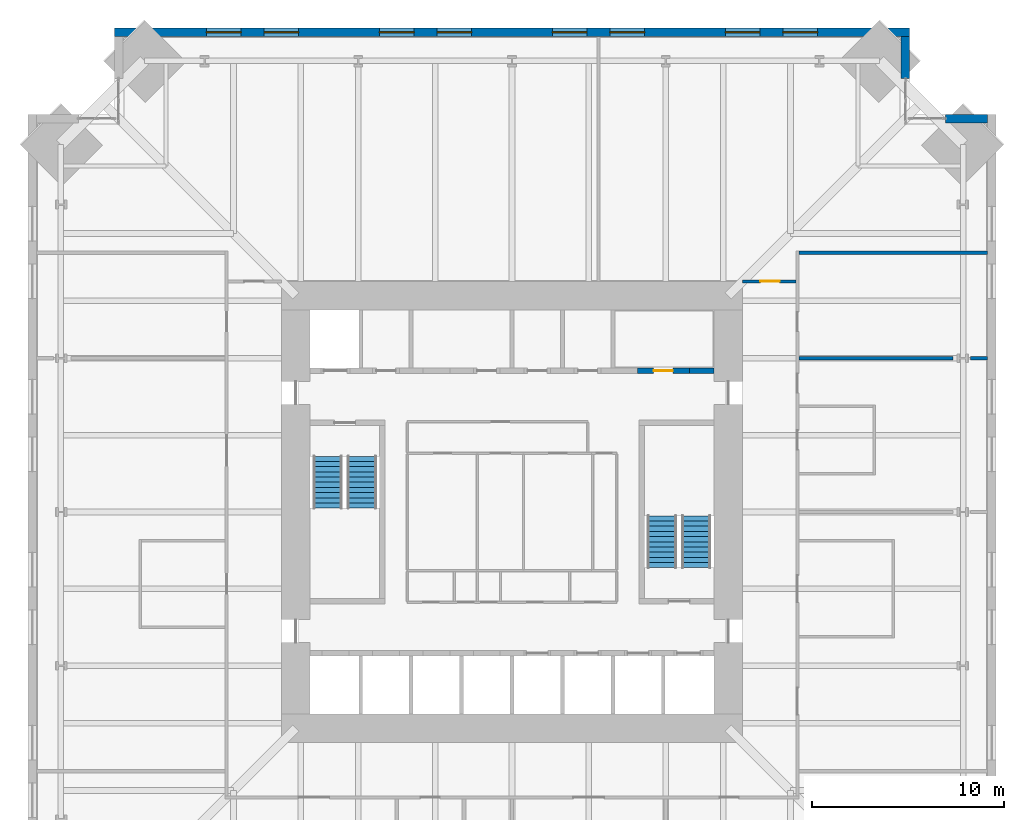
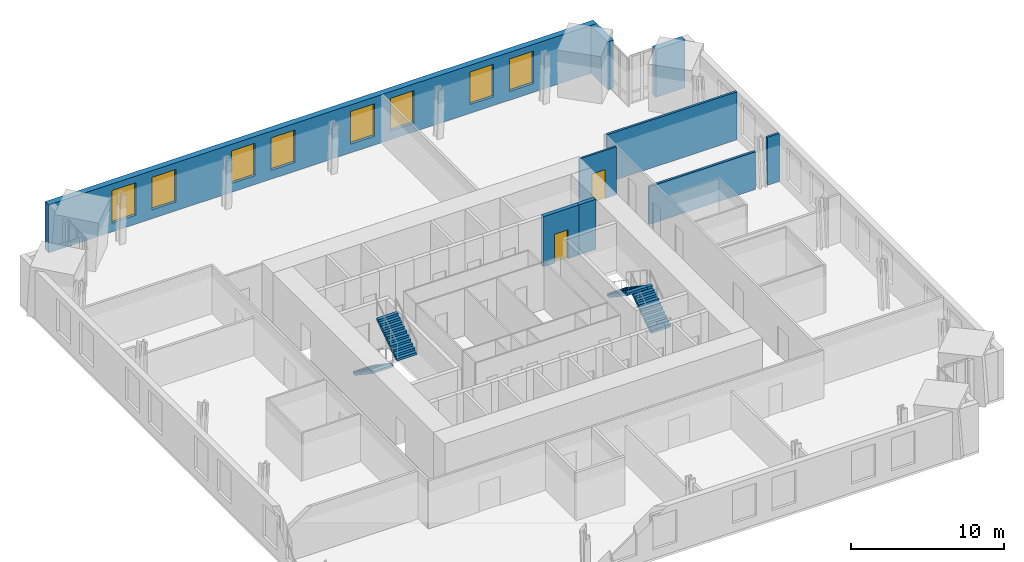
# One storey, part 14 of 15: 9 walls, 8 windows, 4 stair flights, 2 doors, 10 openings, 2 elements without a shape of their own.
"""IFC4 building model written with IfcOpenShell, lengths in metres."""

from ifc_helpers import new_model, si_unit, direction, frame, frame_2d, origin, place, context, subcontext, project, spatial, polyline, rectangle, outline, extrude, material, layer, layer_set, type_object, element, fill, aggregate, save


model = new_model("IFC4")

# Units and contexts
model_context = context("Model", 3, precision=1e-05, world=origin(), true_north=direction((0.0, 1.0)))
body_context = subcontext(model_context, "Body", "Model", "MODEL_VIEW")
ifc_project = project(units=[si_unit("LENGTHUNIT", "METRE"), si_unit("AREAUNIT", "SQUARE_METRE"), si_unit("VOLUMEUNIT", "CUBIC_METRE"), si_unit("PLANEANGLEUNIT", "RADIAN"), si_unit("MASSUNIT", "GRAM", prefix="KILO")], contexts=[model_context])

# Site, building, storey
site_placement = place(None, origin())
site = spatial("IfcSite", under=ifc_project, at=site_placement, CompositionType="ELEMENT")
building_placement = place(site_placement, origin())
building = spatial("IfcBuilding", under=site, at=building_placement, Name="Peilmerk Tower", CompositionType="ELEMENT")
storey_placement = place(building_placement, frame((0.0, 0.0, 183.800048828125)))
storey = spatial("IfcBuildingStorey", under=building, at=storey_placement, Name="L39", CompositionType="ELEMENT", Elevation=183.800048828125)

# Wall, openings, windows
ifc_material_1 = material(Name="Precast concrete C45/55, board-marked finish", Category="concrete")
ifc_layer_1 = layer(ifc_material_1, 0.449951171875)
ifc_layer_set_1 = layer_set([ifc_layer_1], Name="Precast concrete C45/55, board-marked finish")
wall_type_1 = type_object("IfcWallType", Name="EW1 450 precast concrete facade wall, board-marked", PredefinedType="SOLIDWALL", material=ifc_layer_set_1)
wall_1_placement = place(storey_placement, frame((20.699951171875, 24.97509765625, 0.0), z_axis=(0.0, 0.0, 1.0), x_axis=(-1.0, 0.0, 0.0)))
wall_1 = element("IfcWall", 1, at=wall_1_placement, inside=storey, type_object=wall_type_1, Name="Facade wall N L39", PredefinedType="SOLIDWALL", context=body_context, shape_type="SweptSolid", body=[
    extrude(rectangle(XDim=41.39990234375, YDim=0.449951171875, at=frame_2d((20.699951171875, 0.0))), origin(), (0.0, 0.0, 1.0), 3.829833984375),
])
opening_1_placement = place(wall_1_placement, frame((4.800048828125, 0.0, 0.699951171875)))
opening_1 = element("IfcOpeningElement", 2, at=opening_1_placement, cuts=wall_1, Name="Opening W1", PredefinedType="OPENING", context=body_context, shape_type="SweptSolid", body=[
    extrude(rectangle(XDim=1.800048828125, YDim=2.60009765625, at=frame_2d((0.89990234375, 1.300048828125))), frame((0.0, 0.23486328125, 0.0), z_axis=(0.0, -1.0, 0.0), x_axis=(1.0, 0.0, 0.0)), (0.0, 0.0, 1.0), 0.469970703125),
])
opening_2_placement = place(wall_1_placement, frame((7.800048828125, 0.0, 0.699951171875)))
opening_2 = element("IfcOpeningElement", 3, at=opening_2_placement, cuts=wall_1, Name="Opening W1", PredefinedType="OPENING", context=body_context, shape_type="SweptSolid", body=[
    extrude(rectangle(XDim=1.800048828125, YDim=2.60009765625, at=frame_2d((0.89990234375, 1.300048828125))), frame((0.0, 0.23486328125, 0.0), z_axis=(0.0, -1.0, 0.0), x_axis=(1.0, 0.0, 0.0)), (0.0, 0.0, 1.0), 0.469970703125),
])
opening_3_placement = place(wall_1_placement, frame((13.800048828125, 0.0, 0.699951171875)))
opening_3 = element("IfcOpeningElement", 4, at=opening_3_placement, cuts=wall_1, Name="Opening W1", PredefinedType="OPENING", context=body_context, shape_type="SweptSolid", body=[
    extrude(rectangle(XDim=1.800048828125, YDim=2.60009765625, at=frame_2d((0.89990234375, 1.300048828125))), frame((0.0, 0.23486328125, 0.0), z_axis=(0.0, -1.0, 0.0), x_axis=(1.0, 0.0, 0.0)), (0.0, 0.0, 1.0), 0.469970703125),
])
opening_4_placement = place(wall_1_placement, frame((16.800048828125, 0.0, 0.699951171875)))
opening_4 = element("IfcOpeningElement", 5, at=opening_4_placement, cuts=wall_1, Name="Opening W1", PredefinedType="OPENING", context=body_context, shape_type="SweptSolid", body=[
    extrude(rectangle(XDim=1.800048828125, YDim=2.60009765625, at=frame_2d((0.89990234375, 1.300048828125))), frame((0.0, 0.23486328125, 0.0), z_axis=(0.0, -1.0, 0.0), x_axis=(1.0, 0.0, 0.0)), (0.0, 0.0, 1.0), 0.469970703125),
])
opening_5_placement = place(wall_1_placement, frame((22.800048828125, 0.0, 0.699951171875)))
opening_5 = element("IfcOpeningElement", 6, at=opening_5_placement, cuts=wall_1, Name="Opening W1", PredefinedType="OPENING", context=body_context, shape_type="SweptSolid", body=[
    extrude(rectangle(XDim=1.800048828125, YDim=2.60009765625, at=frame_2d((0.89990234375, 1.300048828125))), frame((0.0, 0.23486328125, 0.0), z_axis=(0.0, -1.0, 0.0), x_axis=(1.0, 0.0, 0.0)), (0.0, 0.0, 1.0), 0.469970703125),
])
opening_6_placement = place(wall_1_placement, frame((25.800048828125, 0.0, 0.699951171875)))
opening_6 = element("IfcOpeningElement", 7, at=opening_6_placement, cuts=wall_1, Name="Opening W1", PredefinedType="OPENING", context=body_context, shape_type="SweptSolid", body=[
    extrude(rectangle(XDim=1.800048828125, YDim=2.60009765625, at=frame_2d((0.89990234375, 1.300048828125))), frame((0.0, 0.23486328125, 0.0), z_axis=(0.0, -1.0, 0.0), x_axis=(1.0, 0.0, 0.0)), (0.0, 0.0, 1.0), 0.469970703125),
])
opening_7_placement = place(wall_1_placement, frame((31.800048828125, 0.0, 0.699951171875)))
opening_7 = element("IfcOpeningElement", 8, at=opening_7_placement, cuts=wall_1, Name="Opening W1", PredefinedType="OPENING", context=body_context, shape_type="SweptSolid", body=[
    extrude(rectangle(XDim=1.800048828125, YDim=2.60009765625, at=frame_2d((0.89990234375, 1.300048828125))), frame((0.0, 0.23486328125, 0.0), z_axis=(0.0, -1.0, 0.0), x_axis=(1.0, 0.0, 0.0)), (0.0, 0.0, 1.0), 0.469970703125),
])
opening_8_placement = place(wall_1_placement, frame((34.800048828125, 0.0, 0.699951171875)))
opening_8 = element("IfcOpeningElement", 9, at=opening_8_placement, cuts=wall_1, Name="Opening W1", PredefinedType="OPENING", context=body_context, shape_type="SweptSolid", body=[
    extrude(rectangle(XDim=1.800048828125, YDim=2.60009765625, at=frame_2d((0.89990234375, 1.300048828125))), frame((0.0, 0.23486328125, 0.0), z_axis=(0.0, -1.0, 0.0), x_axis=(1.0, 0.0, 0.0)), (0.0, 0.0, 1.0), 0.469970703125),
])
ifc_material_2 = material(Name="Aluminium frame, clear double glazing", Category="aluminium")
window_type = type_object("IfcWindowType", Name="W1 1800x2600 office window", PartitioningType="SINGLE_PANEL", PredefinedType="WINDOW", material=ifc_material_2)
window_1_placement = place(opening_1_placement, origin())
window_1 = element("IfcWindow", 10, at=window_1_placement, inside=storey, type_object=window_type, Name="Window W1 L39", OverallHeight=2.60009765625, OverallWidth=1.800048828125, PartitioningType="SINGLE_PANEL", PredefinedType="WINDOW", context=body_context, shape_type="SweptSolid", body=[
    extrude(rectangle(XDim=1.800048828125, YDim=2.60009765625, at=frame_2d((0.89990234375, 1.300048828125))), frame((0.0, 0.030029296875, 0.0), z_axis=(0.0, -1.0, 0.0), x_axis=(1.0, 0.0, 0.0)), (0.0, 0.0, 1.0), 0.06005859375),
])
fill(opening_1, window_1)
window_2_placement = place(opening_2_placement, origin())
window_2 = element("IfcWindow", 11, at=window_2_placement, inside=storey, type_object=window_type, Name="Window W1 L39", OverallHeight=2.60009765625, OverallWidth=1.800048828125, PartitioningType="SINGLE_PANEL", PredefinedType="WINDOW", context=body_context, shape_type="SweptSolid", body=[
    extrude(rectangle(XDim=1.800048828125, YDim=2.60009765625, at=frame_2d((0.89990234375, 1.300048828125))), frame((0.0, 0.030029296875, 0.0), z_axis=(0.0, -1.0, 0.0), x_axis=(1.0, 0.0, 0.0)), (0.0, 0.0, 1.0), 0.06005859375),
])
fill(opening_2, window_2)
window_3_placement = place(opening_3_placement, origin())
window_3 = element("IfcWindow", 12, at=window_3_placement, inside=storey, type_object=window_type, Name="Window W1 L39", OverallHeight=2.60009765625, OverallWidth=1.800048828125, PartitioningType="SINGLE_PANEL", PredefinedType="WINDOW", context=body_context, shape_type="SweptSolid", body=[
    extrude(rectangle(XDim=1.800048828125, YDim=2.60009765625, at=frame_2d((0.89990234375, 1.300048828125))), frame((0.0, 0.030029296875, 0.0), z_axis=(0.0, -1.0, 0.0), x_axis=(1.0, 0.0, 0.0)), (0.0, 0.0, 1.0), 0.06005859375),
])
fill(opening_3, window_3)
window_4_placement = place(opening_4_placement, origin())
window_4 = element("IfcWindow", 13, at=window_4_placement, inside=storey, type_object=window_type, Name="Window W1 L39", OverallHeight=2.60009765625, OverallWidth=1.800048828125, PartitioningType="SINGLE_PANEL", PredefinedType="WINDOW", context=body_context, shape_type="SweptSolid", body=[
    extrude(rectangle(XDim=1.800048828125, YDim=2.60009765625, at=frame_2d((0.89990234375, 1.300048828125))), frame((0.0, 0.030029296875, 0.0), z_axis=(0.0, -1.0, 0.0), x_axis=(1.0, 0.0, 0.0)), (0.0, 0.0, 1.0), 0.06005859375),
])
fill(opening_4, window_4)
window_5_placement = place(opening_5_placement, origin())
window_5 = element("IfcWindow", 14, at=window_5_placement, inside=storey, type_object=window_type, Name="Window W1 L39", OverallHeight=2.60009765625, OverallWidth=1.800048828125, PartitioningType="SINGLE_PANEL", PredefinedType="WINDOW", context=body_context, shape_type="SweptSolid", body=[
    extrude(rectangle(XDim=1.800048828125, YDim=2.60009765625, at=frame_2d((0.89990234375, 1.300048828125))), frame((0.0, 0.030029296875, 0.0), z_axis=(0.0, -1.0, 0.0), x_axis=(1.0, 0.0, 0.0)), (0.0, 0.0, 1.0), 0.06005859375),
])
fill(opening_5, window_5)
window_6_placement = place(opening_6_placement, origin())
window_6 = element("IfcWindow", 15, at=window_6_placement, inside=storey, type_object=window_type, Name="Window W1 L39", OverallHeight=2.60009765625, OverallWidth=1.800048828125, PartitioningType="SINGLE_PANEL", PredefinedType="WINDOW", context=body_context, shape_type="SweptSolid", body=[
    extrude(rectangle(XDim=1.800048828125, YDim=2.60009765625, at=frame_2d((0.89990234375, 1.300048828125))), frame((0.0, 0.030029296875, 0.0), z_axis=(0.0, -1.0, 0.0), x_axis=(1.0, 0.0, 0.0)), (0.0, 0.0, 1.0), 0.06005859375),
])
fill(opening_6, window_6)
window_7_placement = place(opening_7_placement, origin())
window_7 = element("IfcWindow", 16, at=window_7_placement, inside=storey, type_object=window_type, Name="Window W1 L39", OverallHeight=2.60009765625, OverallWidth=1.800048828125, PartitioningType="SINGLE_PANEL", PredefinedType="WINDOW", context=body_context, shape_type="SweptSolid", body=[
    extrude(rectangle(XDim=1.800048828125, YDim=2.60009765625, at=frame_2d((0.89990234375, 1.300048828125))), frame((0.0, 0.030029296875, 0.0), z_axis=(0.0, -1.0, 0.0), x_axis=(1.0, 0.0, 0.0)), (0.0, 0.0, 1.0), 0.06005859375),
])
fill(opening_7, window_7)
window_8_placement = place(opening_8_placement, origin())
window_8 = element("IfcWindow", 17, at=window_8_placement, inside=storey, type_object=window_type, Name="Window W1 L39", OverallHeight=2.60009765625, OverallWidth=1.800048828125, PartitioningType="SINGLE_PANEL", PredefinedType="WINDOW", context=body_context, shape_type="SweptSolid", body=[
    extrude(rectangle(XDim=1.800048828125, YDim=2.60009765625, at=frame_2d((0.89990234375, 1.300048828125))), frame((0.0, 0.030029296875, 0.0), z_axis=(0.0, -1.0, 0.0), x_axis=(1.0, 0.0, 0.0)), (0.0, 0.0, 1.0), 0.06005859375),
])
fill(opening_8, window_8)

# Walls
for number, where, z_axis, x_axis, name in (
    (18, (20.47509765625, 22.5537109375, 0.0), (0.0, 0.0, 1.0), (0.0, 1.0, 0.0), "Facade wall NEA L39"),
    (19, (22.5537109375, 20.47509765625, 0.0), (0.0, 0.0, 1.0), (1.0, 0.0, 0.0), "Facade wall NEB L39"),
):
    element("IfcWall", number, at=place(storey_placement, frame(where, z_axis=z_axis, x_axis=x_axis)), inside=storey, type_object=wall_type_1, Name=name, PredefinedType="SOLIDWALL", context=body_context, shape_type="SweptSolid", body=[
        extrude(rectangle(XDim=2.1962890625, YDim=0.449951171875, at=frame_2d((1.09814453125, 0.0))), origin(), (0.0, 0.0, 1.0), 3.829833984375),
    ])

# Wall, opening, door
ifc_material_3 = material(Name="Calcium silicate block", Category="masonry")
ifc_layer_2 = layer(ifc_material_3, 0.14990234375)
ifc_layer_set_2 = layer_set([ifc_layer_2], Name="Calcium silicate block")
wall_type_2 = type_object("IfcWallType", Name="IW1 150 corridor partition, EI 60", PredefinedType="PARTITIONING", material=ifc_layer_set_2)
wall_2_placement = place(storey_placement, frame((12.0, 12.0, 0.0), z_axis=(0.0, 0.0, 1.0), x_axis=(1.0, 0.0, 0.0)))
wall_2 = element("IfcWall", 20, at=wall_2_placement, inside=storey, type_object=wall_type_2, Name="Corridor wall NE L39", PredefinedType="PARTITIONING", context=body_context, shape_type="SweptSolid", body=[
    extrude(rectangle(XDim=2.77490234375, YDim=0.14990234375, at=frame_2d((1.387451171875, 0.0))), origin(), (0.0, 0.0, 1.0), 3.829833984375),
])
opening_9_placement = place(wall_2_placement, frame((0.925048828125, 0.0, 0.0)))
opening_9 = element("IfcOpeningElement", 21, at=opening_9_placement, cuts=wall_2, Name="Opening D1", PredefinedType="OPENING", context=body_context, shape_type="SweptSolid", body=[
    extrude(rectangle(XDim=1.0, YDim=2.300048828125, at=frame_2d((0.5, 1.14990234375))), frame((0.0, 0.0849609375, 0.0), z_axis=(0.0, -1.0, 0.0), x_axis=(1.0, 0.0, 0.0)), (0.0, 0.0, 1.0), 0.169921875),
])
ifc_material_4 = material(Name="Timber door in steel frame", Category="steel")
door_type_1 = type_object("IfcDoorType", Name="D1 1000x2300 room door, EI2 30", OperationType="SINGLE_SWING_LEFT", PredefinedType="DOOR", material=ifc_material_4)
door_1_placement = place(opening_9_placement, origin())
door_1 = element("IfcDoor", 22, at=door_1_placement, inside=storey, type_object=door_type_1, Name="Door Project room L39", OperationType="SINGLE_SWING_LEFT", OverallHeight=2.300048828125, OverallWidth=1.0, PredefinedType="DOOR", context=body_context, shape_type="SweptSolid", body=[
    extrude(rectangle(XDim=1.0, YDim=2.300048828125, at=frame_2d((0.5, 1.14990234375))), frame((0.0, 0.02490234375, 0.0), z_axis=(0.0, -1.0, 0.0), x_axis=(1.0, 0.0, 0.0)), (0.0, 0.0, 1.0), 0.050048828125),
])
fill(opening_9, door_1)

# Walls
ifc_layer_3 = layer(ifc_material_3, 0.175048828125)
ifc_layer_set_3 = layer_set([ifc_layer_3], Name="Calcium silicate block")
wall_type_3 = type_object("IfcWallType", Name="IW8 175 tenant separating wall, EI 60", PredefinedType="PARTITIONING", material=ifc_layer_set_3)
wall_3_placement = place(storey_placement, frame((14.925048828125, 13.5, 0.0), z_axis=(0.0, 0.0, 1.0), x_axis=(1.0, 0.0, 0.0)))
element("IfcWall", 23, at=wall_3_placement, inside=storey, type_object=wall_type_3, Name="Tenant separating wall NE L39", PredefinedType="PARTITIONING", context=body_context, shape_type="SweptSolid", body=[
    extrude(rectangle(XDim=9.824951171875, YDim=0.175048828125, at=frame_2d((4.91259765625, 0.0))), origin(), (0.0, 0.0, 1.0), 3.829833984375),
])
wall_4_placement = place(storey_placement, frame((14.925048828125, 8.0, 0.0), z_axis=(0.0, 0.0, 1.0), x_axis=(1.0, 0.0, 0.0)))
element("IfcWall", 24, at=wall_4_placement, inside=storey, type_object=wall_type_3, Name="Tenant separating wall E2 L39", PredefinedType="PARTITIONING", context=body_context, shape_type="SweptSolid", body=[
    extrude(rectangle(XDim=8.03515625, YDim=0.175048828125, at=frame_2d((4.017578125, 0.0))), origin(), (0.0, 0.0, 1.0), 3.015869140625),
])
wall_5_placement = place(storey_placement, frame((23.849365234375, 8.0, 0.0), z_axis=(0.0, 0.0, 1.0), x_axis=(1.0, 0.0, 0.0)))
element("IfcWall", 25, at=wall_5_placement, inside=storey, type_object=wall_type_3, Name="Tenant separating wall E2b L39", PredefinedType="PARTITIONING", context=body_context, shape_type="SweptSolid", body=[
    extrude(rectangle(XDim=0.900634765625, YDim=0.175048828125, at=frame_2d((0.4501953125, 0.0))), origin(), (0.0, 0.0, 1.0), 3.829833984375),
])

# Wall, opening, door
ifc_layer_4 = layer(ifc_material_3, 0.300048828125)
ifc_layer_set_4 = layer_set([ifc_layer_4], Name="Calcium silicate block")
wall_type_4 = type_object("IfcWallType", Name="SH2 300 lift landing door panel, EI 120", PredefinedType="PARTITIONING", material=ifc_layer_set_4)
wall_6_placement = place(storey_placement, frame((6.52490234375, 7.35009765625, 0.0), z_axis=(0.0, 0.0, 1.0), x_axis=(1.0, 0.0, 0.0)))
wall_6 = element("IfcWall", 26, at=wall_6_placement, inside=storey, type_object=wall_type_4, Name="Lift door panel N GL1 L39", PredefinedType="PARTITIONING", context=body_context, shape_type="SweptSolid", body=[
    extrude(rectangle(XDim=2.7001953125, YDim=0.300048828125, at=frame_2d((1.35009765625, 0.0))), origin(), (0.0, 0.0, 1.0), 4.0),
])
opening_10_placement = place(wall_6_placement, frame((0.85009765625, 0.0, 0.0)))
opening_10 = element("IfcOpeningElement", 27, at=opening_10_placement, cuts=wall_6, Name="Opening D10", PredefinedType="OPENING", context=body_context, shape_type="SweptSolid", body=[
    extrude(rectangle(XDim=1.0, YDim=2.300048828125, at=frame_2d((0.5, 1.14990234375))), frame((0.0, 0.159912109375, 0.0), z_axis=(0.0, -1.0, 0.0), x_axis=(1.0, 0.0, 0.0)), (0.0, 0.0, 1.0), 0.320068359375),
])
ifc_material_5 = material(Name="Steel door in steel frame", Category="steel")
door_type_2 = type_object("IfcDoorType", Name="D10 1000x2300 core room door, EI2 60", OperationType="SINGLE_SWING_RIGHT", PredefinedType="DOOR", material=ifc_material_5)
door_2_placement = place(opening_10_placement, origin())
door_2 = element("IfcDoor", 28, at=door_2_placement, inside=storey, type_object=door_type_2, Name="Door Pantry L39", OperationType="SINGLE_SWING_RIGHT", OverallHeight=2.300048828125, OverallWidth=1.0, PredefinedType="DOOR", context=body_context, shape_type="SweptSolid", body=[
    extrude(rectangle(XDim=1.0, YDim=2.300048828125, at=frame_2d((0.5, 1.14990234375))), frame((0.0, 0.02490234375, 0.0), z_axis=(0.0, -1.0, 0.0), x_axis=(1.0, 0.0, 0.0)), (0.0, 0.0, 1.0), 0.050048828125),
])
fill(opening_10, door_2)

# Wall
ifc_material_6 = material(Name="Concrete C55/67", Category="concrete")
ifc_layer_5 = layer(ifc_material_6, 0.300048828125)
ifc_layer_set_5 = layer_set([ifc_layer_5], Name="Concrete C55/67")
wall_type_5 = type_object("IfcWallType", Name="SW2 300 lift bank pier", PredefinedType="SHEAR", material=ifc_layer_set_5)
wall_7_placement = place(storey_placement, frame((9.22509765625, 7.35009765625, 0.0), z_axis=(0.0, 0.0, 1.0), x_axis=(1.0, 0.0, 0.0)))
element("IfcWall", 29, at=wall_7_placement, inside=storey, type_object=wall_type_5, Name="Lift bank pier N L39", PredefinedType="SHEAR", context=body_context, shape_type="SweptSolid", body=[
    extrude(rectangle(XDim=1.27490234375, YDim=0.300048828125, at=frame_2d((0.637451171875, 0.0))), origin(), (0.0, 0.0, 1.0), 4.0),
])

# Stair, stair flights
ifc_material_7 = material(Name="Precast concrete C45/55", Category="concrete")
stair_type_1 = type_object("IfcStairType", Name="ST1 22 risers of 181.8", PredefinedType="HALF_TURN_STAIR", material=ifc_material_7)
stair_1_placement = place(storey_placement, origin())
stair_1 = element("IfcStair", 30, at=stair_1_placement, inside=storey, type_object=stair_type_1, Name="Stair 1 L39 to L40", PredefinedType="HALF_TURN_STAIR")
stair_flight_type = type_object("IfcStairFlightType", Name="SF11 flight, 11 risers of 181.8", PredefinedType="STRAIGHT", material=ifc_material_7)
stair_flight_1_placement = place(storey_placement, frame((-9.60009765625, 2.89990234375, 0.0), z_axis=(0.0, 0.0, 1.0), x_axis=(0.0, -1.0, 0.0)))
stair_flight_1 = element("IfcStairFlight", 31, at=stair_flight_1_placement, type_object=stair_flight_type, Name="ST1 flight 1", NumberOfRisers=11, NumberOfTreads=10, PredefinedType="STRAIGHT", RiserHeight=0.181818182, TreadLength=0.27, context=body_context, shape_type="SweptSolid", body=[
    extrude(outline(polyline([(0.0, 0.0), (0.0, 0.181884765625), (0.27001953125, 0.181884765625), (0.27001953125, 0.363525390625), (0.5400390625, 0.363525390625), (0.5400390625, 0.54541015625), (0.81005859375, 0.54541015625), (0.81005859375, 0.727294921875), (1.080078125, 0.727294921875), (1.080078125, 0.9091796875), (1.35009765625, 0.9091796875), (1.35009765625, 1.0908203125), (1.6201171875, 1.0908203125), (1.6201171875, 1.272705078125), (1.889892578125, 1.272705078125), (1.889892578125, 1.45458984375), (2.159912109375, 1.45458984375), (2.159912109375, 1.636474609375), (2.429931640625, 1.636474609375), (2.429931640625, 1.818115234375), (2.699951171875, 1.818115234375), (2.699951171875, 2.0), (2.699951171875, 1.637451171875), (0.268310546875, 0.0), (0.0, 0.0)])), frame((0.0, 0.75, 0.0), z_axis=(0.0, -1.0, 0.0), x_axis=(1.0, 0.0, 0.0)), (0.0, 0.0, 1.0), 1.5),
])
stair_flight_2_placement = place(storey_placement, frame((-7.800048828125, 0.199951171875, 2.0), z_axis=(0.0, 0.0, 1.0), x_axis=(0.0, 1.0, 0.0)))
stair_flight_2 = element("IfcStairFlight", 32, at=stair_flight_2_placement, type_object=stair_flight_type, Name="ST1 flight 2", NumberOfRisers=11, NumberOfTreads=10, PredefinedType="STRAIGHT", RiserHeight=0.181818182, TreadLength=0.27, context=body_context, shape_type="SweptSolid", body=[
    extrude(outline(polyline([(0.0, 0.0), (0.0, 0.181884765625), (0.27001953125, 0.181884765625), (0.27001953125, 0.363525390625), (0.5400390625, 0.363525390625), (0.5400390625, 0.54541015625), (0.81005859375, 0.54541015625), (0.81005859375, 0.727294921875), (1.080078125, 0.727294921875), (1.080078125, 0.9091796875), (1.35009765625, 0.9091796875), (1.35009765625, 1.0908203125), (1.6201171875, 1.0908203125), (1.6201171875, 1.272705078125), (1.889892578125, 1.272705078125), (1.889892578125, 1.45458984375), (2.159912109375, 1.45458984375), (2.159912109375, 1.636474609375), (2.429931640625, 1.636474609375), (2.429931640625, 1.818115234375), (2.699951171875, 1.818115234375), (2.699951171875, 2.0), (2.699951171875, 1.637451171875), (0.268310546875, 0.0), (0.0, 0.0)])), frame((0.0, 0.75, 0.0), z_axis=(0.0, -1.0, 0.0), x_axis=(1.0, 0.0, 0.0)), (0.0, 0.0, 1.0), 1.5),
])
aggregate(stair_1, [stair_flight_1, stair_flight_2])

stair_type_2 = type_object("IfcStairType", Name="ST2 22 risers of 181.8", PredefinedType="HALF_TURN_STAIR", material=ifc_material_7)
stair_2_placement = place(storey_placement, origin())
stair_2 = element("IfcStair", 33, at=stair_2_placement, inside=storey, type_object=stair_type_2, Name="Stair 2 L39 to L40", PredefinedType="HALF_TURN_STAIR")
stair_flight_3_placement = place(storey_placement, frame((9.60009765625, -2.89990234375, 0.0), z_axis=(0.0, 0.0, 1.0), x_axis=(0.0, 1.0, 0.0)))
stair_flight_3 = element("IfcStairFlight", 34, at=stair_flight_3_placement, type_object=stair_flight_type, Name="ST2 flight 1", NumberOfRisers=11, NumberOfTreads=10, PredefinedType="STRAIGHT", RiserHeight=0.181818182, TreadLength=0.27, context=body_context, shape_type="SweptSolid", body=[
    extrude(outline(polyline([(0.0, 0.0), (0.0, 0.181884765625), (0.27001953125, 0.181884765625), (0.27001953125, 0.363525390625), (0.5400390625, 0.363525390625), (0.5400390625, 0.54541015625), (0.81005859375, 0.54541015625), (0.81005859375, 0.727294921875), (1.080078125, 0.727294921875), (1.080078125, 0.9091796875), (1.35009765625, 0.9091796875), (1.35009765625, 1.0908203125), (1.6201171875, 1.0908203125), (1.6201171875, 1.272705078125), (1.889892578125, 1.272705078125), (1.889892578125, 1.45458984375), (2.159912109375, 1.45458984375), (2.159912109375, 1.636474609375), (2.429931640625, 1.636474609375), (2.429931640625, 1.818115234375), (2.699951171875, 1.818115234375), (2.699951171875, 2.0), (2.699951171875, 1.637451171875), (0.268310546875, 0.0), (0.0, 0.0)])), frame((0.0, 0.75, 0.0), z_axis=(0.0, -1.0, 0.0), x_axis=(1.0, 0.0, 0.0)), (0.0, 0.0, 1.0), 1.5),
])
stair_flight_4_placement = place(storey_placement, frame((7.800048828125, -0.199951171875, 2.0), z_axis=(0.0, 0.0, 1.0), x_axis=(0.0, -1.0, 0.0)))
stair_flight_4 = element("IfcStairFlight", 35, at=stair_flight_4_placement, type_object=stair_flight_type, Name="ST2 flight 2", NumberOfRisers=11, NumberOfTreads=10, PredefinedType="STRAIGHT", RiserHeight=0.181818182, TreadLength=0.27, context=body_context, shape_type="SweptSolid", body=[
    extrude(outline(polyline([(0.0, 0.0), (0.0, 0.181884765625), (0.27001953125, 0.181884765625), (0.27001953125, 0.363525390625), (0.5400390625, 0.363525390625), (0.5400390625, 0.54541015625), (0.81005859375, 0.54541015625), (0.81005859375, 0.727294921875), (1.080078125, 0.727294921875), (1.080078125, 0.9091796875), (1.35009765625, 0.9091796875), (1.35009765625, 1.0908203125), (1.6201171875, 1.0908203125), (1.6201171875, 1.272705078125), (1.889892578125, 1.272705078125), (1.889892578125, 1.45458984375), (2.159912109375, 1.45458984375), (2.159912109375, 1.636474609375), (2.429931640625, 1.636474609375), (2.429931640625, 1.818115234375), (2.699951171875, 1.818115234375), (2.699951171875, 2.0), (2.699951171875, 1.637451171875), (0.268310546875, 0.0), (0.0, 0.0)])), frame((0.0, 0.75, 0.0), z_axis=(0.0, -1.0, 0.0), x_axis=(1.0, 0.0, 0.0)), (0.0, 0.0, 1.0), 1.5),
])
aggregate(stair_2, [stair_flight_3, stair_flight_4])

save(model, "model.ifc")
